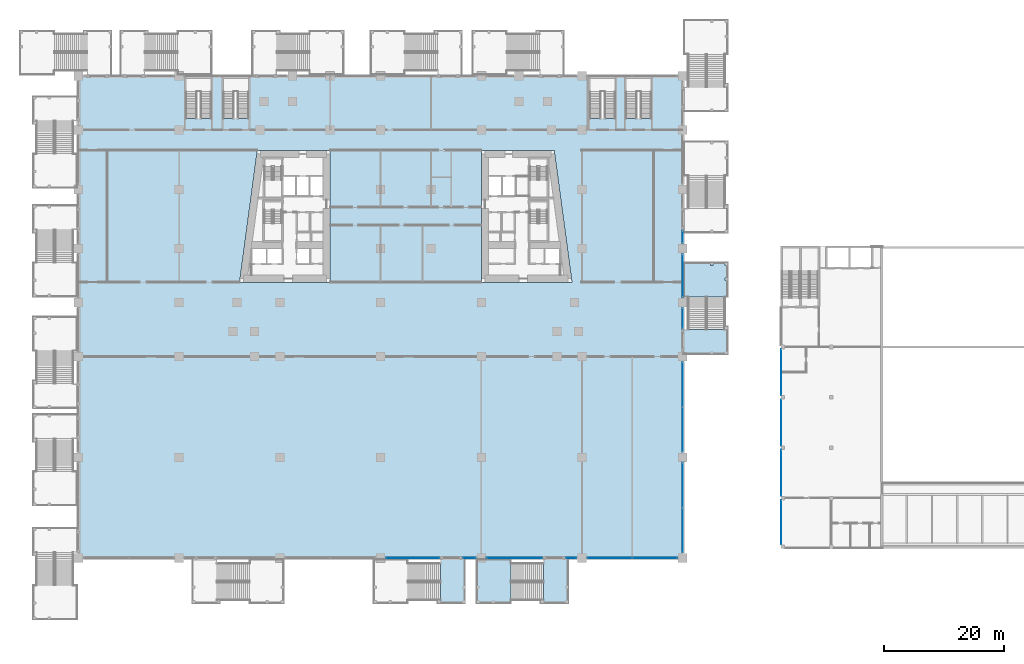
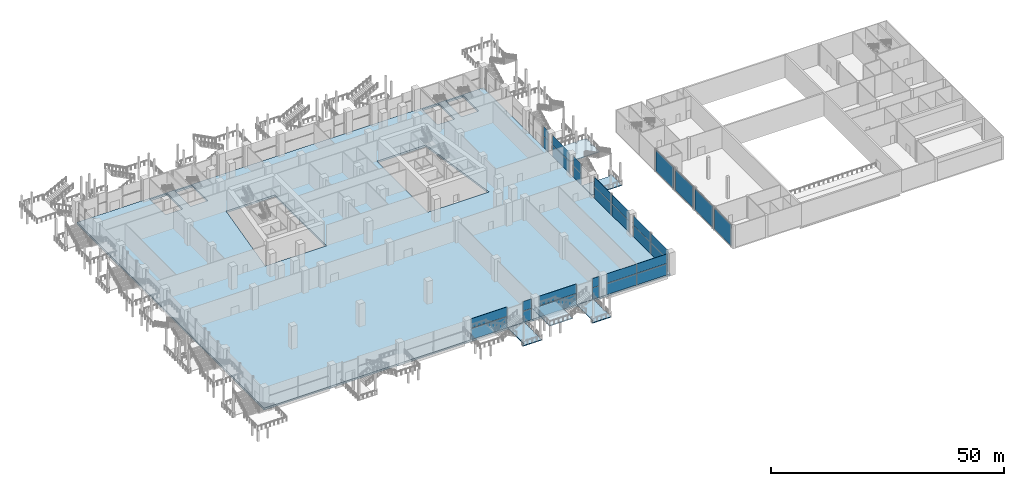
# One storey, part 17 of 49: 30 plates, 6 slabs, 16 elements without a shape of their own.
"""IFC4 building model written with IfcOpenShell, lengths in metres."""

from ifc_helpers import new_model, si_unit, direction, frame, origin, origin_2d, place, context, subcontext, project, spatial, polyline, rectangle, outline, extrude, material, layer, layer_set, type_object, element, aggregate, save


model = new_model("IFC4")

# Units and contexts
model_context = context("Model", 3, precision=1e-05, world=origin(), true_north=direction((0.0, 1.0)))
body_context = subcontext(model_context, "Body", "Model", "MODEL_VIEW")
ifc_project = project(units=[si_unit("LENGTHUNIT", "METRE"), si_unit("AREAUNIT", "SQUARE_METRE"), si_unit("VOLUMEUNIT", "CUBIC_METRE"), si_unit("PLANEANGLEUNIT", "RADIAN"), si_unit("MASSUNIT", "GRAM", prefix="KILO")], contexts=[model_context])

# Site, building, storey
site_placement = place(None, origin())
site = spatial("IfcSite", under=ifc_project, at=site_placement, CompositionType="ELEMENT")
building_placement = place(site_placement, origin())
building = spatial("IfcBuilding", under=site, at=building_placement, Name="Candeia Pilgrim Tower and Theatre", CompositionType="ELEMENT")
storey_placement = place(building_placement, frame((0.0, 0.0, 17.0)))
storey = spatial("IfcBuildingStorey", under=building, at=storey_placement, Name="L02", CompositionType="ELEMENT", Elevation=17.0)

# Curtain wall, plates
ifc_material_1 = material(Name="Aluminium framed podium glazing", Category="aluminium")
curtain_wall_type_1 = type_object("IfcCurtainWallType", Name="CW-P curtain wall", PredefinedType="NOTDEFINED", material=ifc_material_1)
curtain_wall_1_placement = place(storey_placement, origin())
curtain_wall_1 = element("IfcCurtainWall", 1, at=curtain_wall_1_placement, inside=storey, type_object=curtain_wall_type_1, Name="Curtain wall CW-P L02.221", PredefinedType="NOTDEFINED")
ifc_material_2 = material(Name="Laminated low-iron glass 2 x 8 mm", Category="glass")
ifc_layer_1 = layer(ifc_material_2, 0.035888671875)
ifc_layer_set_1 = layer_set([ifc_layer_1], Name="CW-P glass panel 36")
plate_type_1 = type_object("IfcPlateType", Name="CW-P glass panel 36", PredefinedType="CURTAIN_PANEL", material=ifc_layer_set_1)
plate_1_placement = place(storey_placement, frame((159.60009765625, 117.949951171875, 0.0), z_axis=(0.0, 0.0, 1.0), x_axis=(0.0, -1.0, 0.0)))
plate_1 = element("IfcPlate", 2, at=plate_1_placement, type_object=plate_type_1, Name="CW-P panel 1.1", PredefinedType="CURTAIN_PANEL", context=body_context, shape_type="SweptSolid", body=[
    extrude(rectangle(XDim=2.02001953125, YDim=0.035888671875, at=origin_2d()), origin(), (0.0, 0.0, 1.0), 2.9599609375),
])
plate_2_placement = place(storey_placement, frame((159.60009765625, 117.949951171875, 3.0400390625), z_axis=(0.0, 0.0, 1.0), x_axis=(0.0, -1.0, 0.0)))
plate_2 = element("IfcPlate", 3, at=plate_2_placement, type_object=plate_type_1, Name="CW-P panel 1.2", PredefinedType="CURTAIN_PANEL", context=body_context, shape_type="SweptSolid", body=[
    extrude(rectangle(XDim=2.02001953125, YDim=0.035888671875, at=origin_2d()), origin(), (0.0, 0.0, 1.0), 2.4599609375),
])
aggregate(curtain_wall_1, [plate_1, plate_2])

curtain_wall_2_placement = place(storey_placement, origin())
curtain_wall_2 = element("IfcCurtainWall", 4, at=curtain_wall_2_placement, inside=storey, type_object=curtain_wall_type_1, Name="Curtain wall CW-P L02.230", PredefinedType="NOTDEFINED")
plate_3_placement = place(storey_placement, frame((159.60009765625, 111.5, 0.0), z_axis=(0.0, 0.0, 1.0), x_axis=(0.0, -1.0, 0.0)))
plate_3 = element("IfcPlate", 5, at=plate_3_placement, type_object=plate_type_1, Name="CW-P panel 1.1", PredefinedType="CURTAIN_PANEL", context=body_context, shape_type="SweptSolid", body=[
    extrude(rectangle(XDim=7.1201171875, YDim=0.035888671875, at=origin_2d()), origin(), (0.0, 0.0, 1.0), 2.9599609375),
])
plate_4_placement = place(storey_placement, frame((159.60009765625, 111.5, 3.0400390625), z_axis=(0.0, 0.0, 1.0), x_axis=(0.0, -1.0, 0.0)))
plate_4 = element("IfcPlate", 6, at=plate_4_placement, type_object=plate_type_1, Name="CW-P panel 1.2", PredefinedType="CURTAIN_PANEL", context=body_context, shape_type="SweptSolid", body=[
    extrude(rectangle(XDim=7.1201171875, YDim=0.035888671875, at=origin_2d()), origin(), (0.0, 0.0, 1.0), 2.4599609375),
])
aggregate(curtain_wall_2, [plate_3, plate_4])

curtain_wall_3_placement = place(storey_placement, origin())
curtain_wall_3 = element("IfcCurtainWall", 7, at=curtain_wall_3_placement, inside=storey, type_object=curtain_wall_type_1, Name="Curtain wall CW-P L02.240", PredefinedType="NOTDEFINED")
plate_5_placement = place(storey_placement, frame((159.60009765625, 104.375, 0.0), z_axis=(0.0, 0.0, 1.0), x_axis=(0.0, -1.0, 0.0)))
plate_5 = element("IfcPlate", 8, at=plate_5_placement, type_object=plate_type_1, Name="CW-P panel 1.1", PredefinedType="CURTAIN_PANEL", context=body_context, shape_type="SweptSolid", body=[
    extrude(rectangle(XDim=3.3701171875, YDim=0.035888671875, at=origin_2d()), origin(), (0.0, 0.0, 1.0), 2.9599609375),
])
plate_6_placement = place(storey_placement, frame((159.60009765625, 104.375, 3.0400390625), z_axis=(0.0, 0.0, 1.0), x_axis=(0.0, -1.0, 0.0)))
plate_6 = element("IfcPlate", 9, at=plate_6_placement, type_object=plate_type_1, Name="CW-P panel 1.2", PredefinedType="CURTAIN_PANEL", context=body_context, shape_type="SweptSolid", body=[
    extrude(rectangle(XDim=3.3701171875, YDim=0.035888671875, at=origin_2d()), origin(), (0.0, 0.0, 1.0), 2.4599609375),
])
aggregate(curtain_wall_3, [plate_5, plate_6])

curtain_wall_4_placement = place(storey_placement, origin())
curtain_wall_4 = element("IfcCurtainWall", 10, at=curtain_wall_4_placement, inside=storey, type_object=curtain_wall_type_1, Name="Curtain wall CW-P L02.250", PredefinedType="NOTDEFINED")
plate_7_placement = place(storey_placement, frame((159.60009765625, 93.35009765625, 0.0), z_axis=(0.0, 0.0, 1.0), x_axis=(0.0, -1.0, 0.0)))
plate_7 = element("IfcPlate", 11, at=plate_7_placement, type_object=plate_type_1, Name="CW-P panel 1.1", PredefinedType="CURTAIN_PANEL", context=body_context, shape_type="SweptSolid", body=[
    extrude(rectangle(XDim=7.419921875, YDim=0.035888671875, at=origin_2d()), origin(), (0.0, 0.0, 1.0), 2.9599609375),
])
plate_8_placement = place(storey_placement, frame((159.60009765625, 93.35009765625, 3.0400390625), z_axis=(0.0, 0.0, 1.0), x_axis=(0.0, -1.0, 0.0)))
plate_8 = element("IfcPlate", 12, at=plate_8_placement, type_object=plate_type_1, Name="CW-P panel 1.2", PredefinedType="CURTAIN_PANEL", context=body_context, shape_type="SweptSolid", body=[
    extrude(rectangle(XDim=7.419921875, YDim=0.035888671875, at=origin_2d()), origin(), (0.0, 0.0, 1.0), 2.4599609375),
])
plate_9_placement = place(storey_placement, frame((159.60009765625, 85.85009765625, 0.0), z_axis=(0.0, 0.0, 1.0), x_axis=(0.0, -1.0, 0.0)))
plate_9 = element("IfcPlate", 13, at=plate_9_placement, type_object=plate_type_1, Name="CW-P panel 2.1", PredefinedType="CURTAIN_PANEL", context=body_context, shape_type="SweptSolid", body=[
    extrude(rectangle(XDim=7.419921875, YDim=0.035888671875, at=origin_2d()), origin(), (0.0, 0.0, 1.0), 2.9599609375),
])
plate_10_placement = place(storey_placement, frame((159.60009765625, 85.85009765625, 3.0400390625), z_axis=(0.0, 0.0, 1.0), x_axis=(0.0, -1.0, 0.0)))
plate_10 = element("IfcPlate", 14, at=plate_10_placement, type_object=plate_type_1, Name="CW-P panel 2.2", PredefinedType="CURTAIN_PANEL", context=body_context, shape_type="SweptSolid", body=[
    extrude(rectangle(XDim=7.419921875, YDim=0.035888671875, at=origin_2d()), origin(), (0.0, 0.0, 1.0), 2.4599609375),
])
aggregate(curtain_wall_4, [plate_7, plate_8, plate_9, plate_10])

curtain_wall_5_placement = place(storey_placement, origin())
curtain_wall_5 = element("IfcCurtainWall", 15, at=curtain_wall_5_placement, inside=storey, type_object=curtain_wall_type_1, Name="Curtain wall CW-P L02.260", PredefinedType="NOTDEFINED")
plate_11_placement = place(storey_placement, frame((159.60009765625, 76.550048828125, 0.0), z_axis=(0.0, 0.0, 1.0), x_axis=(0.0, -1.0, 0.0)))
plate_11 = element("IfcPlate", 16, at=plate_11_placement, type_object=plate_type_1, Name="CW-P panel 1.1", PredefinedType="CURTAIN_PANEL", context=body_context, shape_type="SweptSolid", body=[
    extrude(rectangle(XDim=7.419921875, YDim=0.035888671875, at=origin_2d()), origin(), (0.0, 0.0, 1.0), 2.9599609375),
])
plate_12_placement = place(storey_placement, frame((159.60009765625, 76.550048828125, 3.0400390625), z_axis=(0.0, 0.0, 1.0), x_axis=(0.0, -1.0, 0.0)))
plate_12 = element("IfcPlate", 17, at=plate_12_placement, type_object=plate_type_1, Name="CW-P panel 1.2", PredefinedType="CURTAIN_PANEL", context=body_context, shape_type="SweptSolid", body=[
    extrude(rectangle(XDim=7.419921875, YDim=0.035888671875, at=origin_2d()), origin(), (0.0, 0.0, 1.0), 2.4599609375),
])
plate_13_placement = place(storey_placement, frame((159.60009765625, 69.050048828125, 0.0), z_axis=(0.0, 0.0, 1.0), x_axis=(0.0, -1.0, 0.0)))
plate_13 = element("IfcPlate", 18, at=plate_13_placement, type_object=plate_type_1, Name="CW-P panel 2.1", PredefinedType="CURTAIN_PANEL", context=body_context, shape_type="SweptSolid", body=[
    extrude(rectangle(XDim=7.419921875, YDim=0.035888671875, at=origin_2d()), origin(), (0.0, 0.0, 1.0), 2.9599609375),
])
plate_14_placement = place(storey_placement, frame((159.60009765625, 69.050048828125, 3.0400390625), z_axis=(0.0, 0.0, 1.0), x_axis=(0.0, -1.0, 0.0)))
plate_14 = element("IfcPlate", 19, at=plate_14_placement, type_object=plate_type_1, Name="CW-P panel 2.2", PredefinedType="CURTAIN_PANEL", context=body_context, shape_type="SweptSolid", body=[
    extrude(rectangle(XDim=7.419921875, YDim=0.035888671875, at=origin_2d()), origin(), (0.0, 0.0, 1.0), 2.4599609375),
])
aggregate(curtain_wall_5, [plate_11, plate_12, plate_13, plate_14])

curtain_wall_6_placement = place(storey_placement, origin())
curtain_wall_6 = element("IfcCurtainWall", 20, at=curtain_wall_6_placement, inside=storey, type_object=curtain_wall_type_1, Name="Curtain wall CW-P L02.300", PredefinedType="NOTDEFINED")
plate_15_placement = place(storey_placement, frame((154.949951171875, 64.39990234375, 0.0), z_axis=(0.0, 0.0, 1.0), x_axis=(-1.0, 0.0, 0.0)))
plate_15 = element("IfcPlate", 21, at=plate_15_placement, type_object=plate_type_1, Name="CW-P panel 1.1", PredefinedType="CURTAIN_PANEL", context=body_context, shape_type="SweptSolid", body=[
    extrude(rectangle(XDim=7.419921875, YDim=0.035888671875, at=origin_2d()), origin(), (0.0, 0.0, 1.0), 2.9599609375),
])
plate_16_placement = place(storey_placement, frame((154.949951171875, 64.39990234375, 3.0400390625), z_axis=(0.0, 0.0, 1.0), x_axis=(-1.0, 0.0, 0.0)))
plate_16 = element("IfcPlate", 22, at=plate_16_placement, type_object=plate_type_1, Name="CW-P panel 1.2", PredefinedType="CURTAIN_PANEL", context=body_context, shape_type="SweptSolid", body=[
    extrude(rectangle(XDim=7.419921875, YDim=0.035888671875, at=origin_2d()), origin(), (0.0, 0.0, 1.0), 2.4599609375),
])
plate_17_placement = place(storey_placement, frame((147.449951171875, 64.39990234375, 0.0), z_axis=(0.0, 0.0, 1.0), x_axis=(-1.0, 0.0, 0.0)))
plate_17 = element("IfcPlate", 23, at=plate_17_placement, type_object=plate_type_1, Name="CW-P panel 2.1", PredefinedType="CURTAIN_PANEL", context=body_context, shape_type="SweptSolid", body=[
    extrude(rectangle(XDim=7.419921875, YDim=0.035888671875, at=origin_2d()), origin(), (0.0, 0.0, 1.0), 2.9599609375),
])
plate_18_placement = place(storey_placement, frame((147.449951171875, 64.39990234375, 3.0400390625), z_axis=(0.0, 0.0, 1.0), x_axis=(-1.0, 0.0, 0.0)))
plate_18 = element("IfcPlate", 24, at=plate_18_placement, type_object=plate_type_1, Name="CW-P panel 2.2", PredefinedType="CURTAIN_PANEL", context=body_context, shape_type="SweptSolid", body=[
    extrude(rectangle(XDim=7.419921875, YDim=0.035888671875, at=origin_2d()), origin(), (0.0, 0.0, 1.0), 2.4599609375),
])
aggregate(curtain_wall_6, [plate_15, plate_16, plate_17, plate_18])

curtain_wall_7_placement = place(storey_placement, origin())
curtain_wall_7 = element("IfcCurtainWall", 25, at=curtain_wall_7_placement, inside=storey, type_object=curtain_wall_type_1, Name="Curtain wall CW-P L02.310", PredefinedType="NOTDEFINED")
plate_19_placement = place(storey_placement, frame((141.02490234375, 64.39990234375, 0.0), z_axis=(0.0, 0.0, 1.0), x_axis=(-1.0, 0.0, 0.0)))
plate_19 = element("IfcPlate", 26, at=plate_19_placement, type_object=plate_type_1, Name="CW-P panel 1.1", PredefinedType="CURTAIN_PANEL", context=body_context, shape_type="SweptSolid", body=[
    extrude(rectangle(XDim=1.669921875, YDim=0.035888671875, at=origin_2d()), origin(), (0.0, 0.0, 1.0), 2.9599609375),
])
plate_20_placement = place(storey_placement, frame((141.02490234375, 64.39990234375, 3.0400390625), z_axis=(0.0, 0.0, 1.0), x_axis=(-1.0, 0.0, 0.0)))
plate_20 = element("IfcPlate", 27, at=plate_20_placement, type_object=plate_type_1, Name="CW-P panel 1.2", PredefinedType="CURTAIN_PANEL", context=body_context, shape_type="SweptSolid", body=[
    extrude(rectangle(XDim=1.669921875, YDim=0.035888671875, at=origin_2d()), origin(), (0.0, 0.0, 1.0), 2.4599609375),
])
aggregate(curtain_wall_7, [plate_19, plate_20])

curtain_wall_8_placement = place(storey_placement, origin())
curtain_wall_8 = element("IfcCurtainWall", 28, at=curtain_wall_8_placement, inside=storey, type_object=curtain_wall_type_1, Name="Curtain wall CW-P L02.311", PredefinedType="NOTDEFINED")
plate_21_placement = place(storey_placement, frame((131.574951171875, 64.39990234375, 0.0), z_axis=(0.0, 0.0, 1.0), x_axis=(-1.0, 0.0, 0.0)))
plate_21 = element("IfcPlate", 29, at=plate_21_placement, type_object=plate_type_1, Name="CW-P panel 1.1", PredefinedType="CURTAIN_PANEL", context=body_context, shape_type="SweptSolid", body=[
    extrude(rectangle(XDim=9.27001953125, YDim=0.035888671875, at=origin_2d()), origin(), (0.0, 0.0, 1.0), 2.9599609375),
])
plate_22_placement = place(storey_placement, frame((131.574951171875, 64.39990234375, 3.0400390625), z_axis=(0.0, 0.0, 1.0), x_axis=(-1.0, 0.0, 0.0)))
plate_22 = element("IfcPlate", 30, at=plate_22_placement, type_object=plate_type_1, Name="CW-P panel 1.2", PredefinedType="CURTAIN_PANEL", context=body_context, shape_type="SweptSolid", body=[
    extrude(rectangle(XDim=9.27001953125, YDim=0.035888671875, at=origin_2d()), origin(), (0.0, 0.0, 1.0), 2.4599609375),
])
aggregate(curtain_wall_8, [plate_21, plate_22])

curtain_wall_9_placement = place(storey_placement, origin())
curtain_wall_9 = element("IfcCurtainWall", 31, at=curtain_wall_9_placement, inside=storey, type_object=curtain_wall_type_1, Name="Curtain wall CW-P L02.320", PredefinedType="NOTDEFINED")
plate_23_placement = place(storey_placement, frame((124.02490234375, 64.39990234375, 0.0), z_axis=(0.0, 0.0, 1.0), x_axis=(-1.0, 0.0, 0.0)))
plate_23 = element("IfcPlate", 32, at=plate_23_placement, type_object=plate_type_1, Name="CW-P panel 1.1", PredefinedType="CURTAIN_PANEL", context=body_context, shape_type="SweptSolid", body=[
    extrude(rectangle(XDim=2.070068359375, YDim=0.035888671875, at=origin_2d()), origin(), (0.0, 0.0, 1.0), 2.9599609375),
])
plate_24_placement = place(storey_placement, frame((124.02490234375, 64.39990234375, 3.0400390625), z_axis=(0.0, 0.0, 1.0), x_axis=(-1.0, 0.0, 0.0)))
plate_24 = element("IfcPlate", 33, at=plate_24_placement, type_object=plate_type_1, Name="CW-P panel 1.2", PredefinedType="CURTAIN_PANEL", context=body_context, shape_type="SweptSolid", body=[
    extrude(rectangle(XDim=2.070068359375, YDim=0.035888671875, at=origin_2d()), origin(), (0.0, 0.0, 1.0), 2.4599609375),
])
aggregate(curtain_wall_9, [plate_23, plate_24])

curtain_wall_10_placement = place(storey_placement, origin())
curtain_wall_10 = element("IfcCurtainWall", 34, at=curtain_wall_10_placement, inside=storey, type_object=curtain_wall_type_1, Name="Curtain wall CW-P L02.321", PredefinedType="NOTDEFINED")
plate_25_placement = place(storey_placement, frame((114.574951171875, 64.39990234375, 0.0), z_axis=(0.0, 0.0, 1.0), x_axis=(-1.0, 0.0, 0.0)))
plate_25 = element("IfcPlate", 35, at=plate_25_placement, type_object=plate_type_1, Name="CW-P panel 1.1", PredefinedType="CURTAIN_PANEL", context=body_context, shape_type="SweptSolid", body=[
    extrude(rectangle(XDim=8.8701171875, YDim=0.035888671875, at=origin_2d()), origin(), (0.0, 0.0, 1.0), 2.9599609375),
])
plate_26_placement = place(storey_placement, frame((114.574951171875, 64.39990234375, 3.0400390625), z_axis=(0.0, 0.0, 1.0), x_axis=(-1.0, 0.0, 0.0)))
plate_26 = element("IfcPlate", 36, at=plate_26_placement, type_object=plate_type_1, Name="CW-P panel 1.2", PredefinedType="CURTAIN_PANEL", context=body_context, shape_type="SweptSolid", body=[
    extrude(rectangle(XDim=8.8701171875, YDim=0.035888671875, at=origin_2d()), origin(), (0.0, 0.0, 1.0), 2.4599609375),
])
aggregate(curtain_wall_10, [plate_25, plate_26])

# Slab
ifc_material_3 = material(Name="Concrete C50/60", Category="concrete")
ifc_layer_2 = layer(ifc_material_3, 0.5)
ifc_layer_set_2 = layer_set([ifc_layer_2], Name="Floor slab 500 C50/60")
slab_type_1 = type_object("IfcSlabType", Name="Floor slab 500 C50/60", PredefinedType="FLOOR", material=ifc_layer_set_2)
slab_1_placement = place(storey_placement, frame((0.0, 0.0, -0.5)))
element("IfcSlab", 37, at=slab_1_placement, inside=storey, type_object=slab_type_1, Name="Floor slab L02", PredefinedType="FLOOR", context=body_context, shape_type="SweptSolid", body=[
    extrude(outline(polyline([(58.800048828125, 144.800048828125), (159.60009765625, 144.800048828125), (159.60009765625, 64.39990234375), (58.800048828125, 64.39990234375), (58.800048828125, 144.800048828125)]), holes=[polyline([(85.669189453125, 110.39990234375), (100.800048828125, 110.39990234375), (100.800048828125, 132.39990234375), (88.630859375, 132.39990234375), (85.669189453125, 110.39990234375)]), polyline([(126.0, 110.39990234375), (141.130859375, 110.39990234375), (138.169189453125, 132.39990234375), (126.0, 132.39990234375), (126.0, 110.39990234375)]), polyline([(80.97509765625, 144.425048828125), (76.72509765625, 144.425048828125), (76.72509765625, 137.7451171875), (80.97509765625, 137.7451171875), (80.97509765625, 144.425048828125)]), polyline([(87.175048828125, 144.425048828125), (82.925048828125, 144.425048828125), (82.925048828125, 137.7451171875), (87.175048828125, 137.7451171875), (87.175048828125, 144.425048828125)]), polyline([(148.375, 144.425048828125), (144.125, 144.425048828125), (144.125, 137.7451171875), (148.375, 137.7451171875), (148.375, 144.425048828125)]), polyline([(154.375, 144.425048828125), (150.125, 144.425048828125), (150.125, 137.7451171875), (154.375, 137.7451171875), (154.375, 144.425048828125)])]), origin(), (0.0, 0.0, 1.0), 0.5),
])

# Curtain wall, plate
ifc_material_4 = material(Name="Aluminium curtain wall system", Category="aluminium")
curtain_wall_type_2 = type_object("IfcCurtainWallType", Name="Curtain wall CW-T", PredefinedType="NOTDEFINED", material=ifc_material_4)
curtain_wall_11_placement = place(storey_placement, origin())
curtain_wall_11 = element("IfcCurtainWall", 38, at=curtain_wall_11_placement, inside=storey, type_object=curtain_wall_type_2, Name="Foyer curtain wall L02 1", PredefinedType="NOTDEFINED")
ifc_material_5 = material(Name="Laminated low-iron glass", Category="glass")
ifc_layer_3 = layer(ifc_material_5, 0.028076171875)
ifc_layer_set_3 = layer_set([ifc_layer_3], Name="Panel CW-T glass 28")
plate_type_2 = type_object("IfcPlateType", Name="Panel CW-T glass 28", PredefinedType="CURTAIN_PANEL", material=ifc_layer_set_3)
plate_27_placement = place(storey_placement, frame((176.050048828125, 70.35009765625, 0.06005859375), z_axis=(0.0, 0.0, 1.0), x_axis=(0.0, 1.0, 0.0)))
plate_27 = element("IfcPlate", 39, at=plate_27_placement, type_object=plate_type_2, Name="CW-T panel 1.1", PredefinedType="CURTAIN_PANEL", context=body_context, shape_type="SweptSolid", body=[
    extrude(rectangle(XDim=7.3798828125, YDim=0.028076171875, at=origin_2d()), origin(), (0.0, 0.0, 1.0), 5.580078125),
])
aggregate(curtain_wall_11, [plate_27])

curtain_wall_12_placement = place(storey_placement, origin())
curtain_wall_12 = element("IfcCurtainWall", 40, at=curtain_wall_12_placement, inside=storey, type_object=curtain_wall_type_2, Name="Foyer curtain wall L02 2", PredefinedType="NOTDEFINED")
plate_28_placement = place(storey_placement, frame((176.050048828125, 78.60009765625, 0.06005859375), z_axis=(0.0, 0.0, 1.0), x_axis=(0.0, 1.0, 0.0)))
plate_28 = element("IfcPlate", 41, at=plate_28_placement, type_object=plate_type_2, Name="CW-T panel 1.1", PredefinedType="CURTAIN_PANEL", context=body_context, shape_type="SweptSolid", body=[
    extrude(rectangle(XDim=7.679931640625, YDim=0.028076171875, at=origin_2d()), origin(), (0.0, 0.0, 1.0), 5.580078125),
])
aggregate(curtain_wall_12, [plate_28])

curtain_wall_13_placement = place(storey_placement, origin())
curtain_wall_13 = element("IfcCurtainWall", 42, at=curtain_wall_13_placement, inside=storey, type_object=curtain_wall_type_2, Name="Foyer curtain wall L02 3", PredefinedType="NOTDEFINED")
plate_29_placement = place(storey_placement, frame((176.050048828125, 87.0, 0.06005859375), z_axis=(0.0, 0.0, 1.0), x_axis=(0.0, 1.0, 0.0)))
plate_29 = element("IfcPlate", 43, at=plate_29_placement, type_object=plate_type_2, Name="CW-T panel 1.1", PredefinedType="CURTAIN_PANEL", context=body_context, shape_type="SweptSolid", body=[
    extrude(rectangle(XDim=7.679931640625, YDim=0.028076171875, at=origin_2d()), origin(), (0.0, 0.0, 1.0), 5.580078125),
])
aggregate(curtain_wall_13, [plate_29])

curtain_wall_14_placement = place(storey_placement, origin())
curtain_wall_14 = element("IfcCurtainWall", 44, at=curtain_wall_14_placement, inside=storey, type_object=curtain_wall_type_2, Name="Foyer curtain wall L02 4", PredefinedType="NOTDEFINED")
plate_30_placement = place(storey_placement, frame((176.050048828125, 95.39990234375, 0.06005859375), z_axis=(0.0, 0.0, 1.0), x_axis=(0.0, 1.0, 0.0)))
plate_30 = element("IfcPlate", 45, at=plate_30_placement, type_object=plate_type_2, Name="CW-T panel 1.1", PredefinedType="CURTAIN_PANEL", context=body_context, shape_type="SweptSolid", body=[
    extrude(rectangle(XDim=7.679931640625, YDim=0.028076171875, at=origin_2d()), origin(), (0.0, 0.0, 1.0), 5.580078125),
])
aggregate(curtain_wall_14, [plate_30])

# Slab
ifc_material_6 = material(Name="Concrete C40/50", Category="concrete")
ifc_layer_4 = layer(ifc_material_6, 0.199951171875)
ifc_layer_set_4 = layer_set([ifc_layer_4], Name="SL-EXT stair landing")
slab_type_2 = type_object("IfcSlabType", Name="SL-EXT stair landing", PredefinedType="LANDING", material=ifc_layer_set_4)
slab_2_placement = place(storey_placement, frame((0.0, 0.0, -0.199951171875)))
element("IfcSlab", 46, at=slab_2_placement, inside=storey, type_object=slab_type_2, Name="L02 External escape stair ES1 floor landing", PredefinedType="LANDING", context=body_context, shape_type="SweptSolid", body=[
    extrude(outline(polyline([(159.64990234375, 98.39990234375), (159.64990234375, 102.52001953125), (166.64990234375, 102.52001953125), (166.64990234375, 103.0), (167.14990234375, 103.0), (167.14990234375, 98.39990234375), (159.64990234375, 98.39990234375)])), origin(), (0.0, 0.0, 1.0), 0.199951171875),
])

# Stair, slab
stair_type = type_object("IfcStairType", Name="ST-EXT external escape stair", PredefinedType="HALF_TURN_STAIR", material=ifc_material_6)
stair_1_placement = place(storey_placement, origin())
stair_1 = element("IfcStair", 47, at=stair_1_placement, inside=storey, type_object=stair_type, Name="L02 External escape stair ES1", PredefinedType="HALF_TURN_STAIR")
slab_3_placement = place(storey_placement, frame((0.0, 0.0, 2.800048828125)))
slab_3 = element("IfcSlab", 48, at=slab_3_placement, type_object=slab_type_2, Name="L02 External escape stair ES1 landing", PredefinedType="LANDING", context=body_context, shape_type="SweptSolid", body=[
    extrude(outline(polyline([(159.800048828125, 107.919921875), (159.800048828125, 113.659912109375), (167.14990234375, 113.659912109375), (167.14990234375, 107.919921875), (159.800048828125, 107.919921875)]), holes=[polyline([(166.699951171875, 110.7099609375), (167.10009765625, 110.7099609375), (167.10009765625, 111.110107421875), (166.699951171875, 111.110107421875), (166.699951171875, 110.7099609375)]), polyline([(166.699951171875, 113.2099609375), (167.10009765625, 113.2099609375), (167.10009765625, 113.610107421875), (166.699951171875, 113.610107421875), (166.699951171875, 113.2099609375)]), polyline([(164.27490234375, 113.2099609375), (164.675048828125, 113.2099609375), (164.675048828125, 113.610107421875), (164.27490234375, 113.610107421875), (164.27490234375, 113.2099609375)])]), origin(), (0.0, 0.0, 1.0), 0.199951171875),
])
aggregate(stair_1, [slab_3])

# Slabs
slab_4_placement = place(storey_placement, frame((0.0, 0.0, -0.199951171875)))
element("IfcSlab", 49, at=slab_4_placement, inside=storey, type_object=slab_type_2, Name="L02 External escape stair ES9 floor landing", PredefinedType="LANDING", context=body_context, shape_type="SweptSolid", body=[
    extrude(outline(polyline([(123.300048828125, 64.35009765625), (119.179931640625, 64.35009765625), (119.179931640625, 57.35009765625), (118.699951171875, 57.35009765625), (118.699951171875, 56.85009765625), (123.300048828125, 56.85009765625), (123.300048828125, 64.35009765625)])), origin(), (0.0, 0.0, 1.0), 0.199951171875),
])
slab_5_placement = place(storey_placement, frame((0.0, 0.0, -0.199951171875)))
element("IfcSlab", 50, at=slab_5_placement, inside=storey, type_object=slab_type_2, Name="L02 External escape stair ES16 floor landing", PredefinedType="LANDING", context=body_context, shape_type="SweptSolid", body=[
    extrude(outline(polyline([(140.5, 64.35009765625), (136.3798828125, 64.35009765625), (136.3798828125, 57.35009765625), (135.89990234375, 57.35009765625), (135.89990234375, 56.85009765625), (140.5, 56.85009765625), (140.5, 64.35009765625)])), origin(), (0.0, 0.0, 1.0), 0.199951171875),
])

# Stair, slab
stair_2_placement = place(storey_placement, origin())
stair_2 = element("IfcStair", 51, at=stair_2_placement, inside=storey, type_object=stair_type, Name="L02 External escape stair ES16", PredefinedType="HALF_TURN_STAIR")
slab_6_placement = place(storey_placement, frame((0.0, 0.0, 2.800048828125)))
slab_6 = element("IfcSlab", 52, at=slab_6_placement, type_object=slab_type_2, Name="L02 External escape stair ES16 landing", PredefinedType="LANDING", context=body_context, shape_type="SweptSolid", body=[
    extrude(outline(polyline([(130.97998046875, 64.199951171875), (125.239990234375, 64.199951171875), (125.239990234375, 56.85009765625), (130.97998046875, 56.85009765625), (130.97998046875, 64.199951171875)])), origin(), (0.0, 0.0, 1.0), 0.199951171875),
])
aggregate(stair_2, [slab_6])

save(model, "model.ifc")
